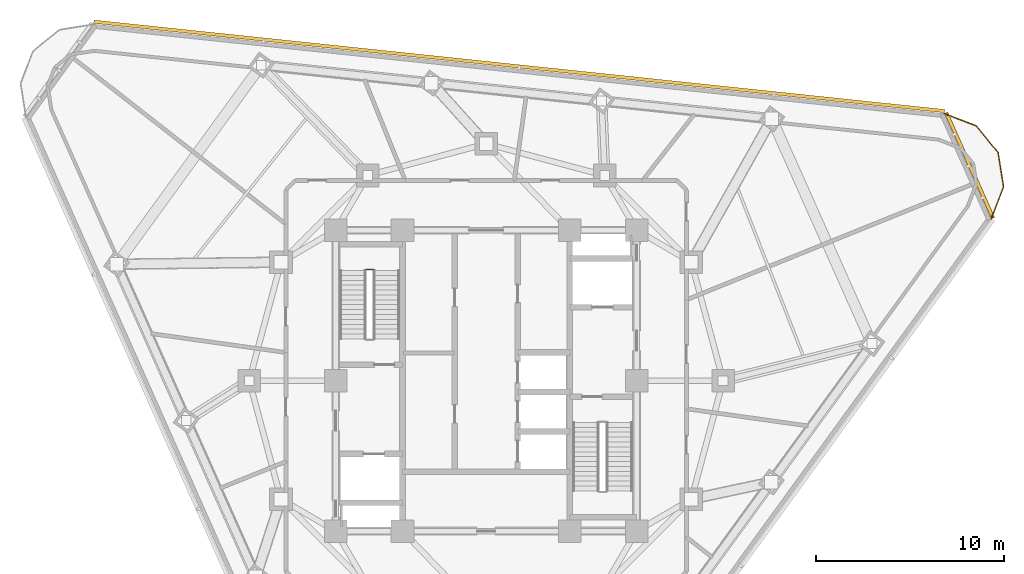
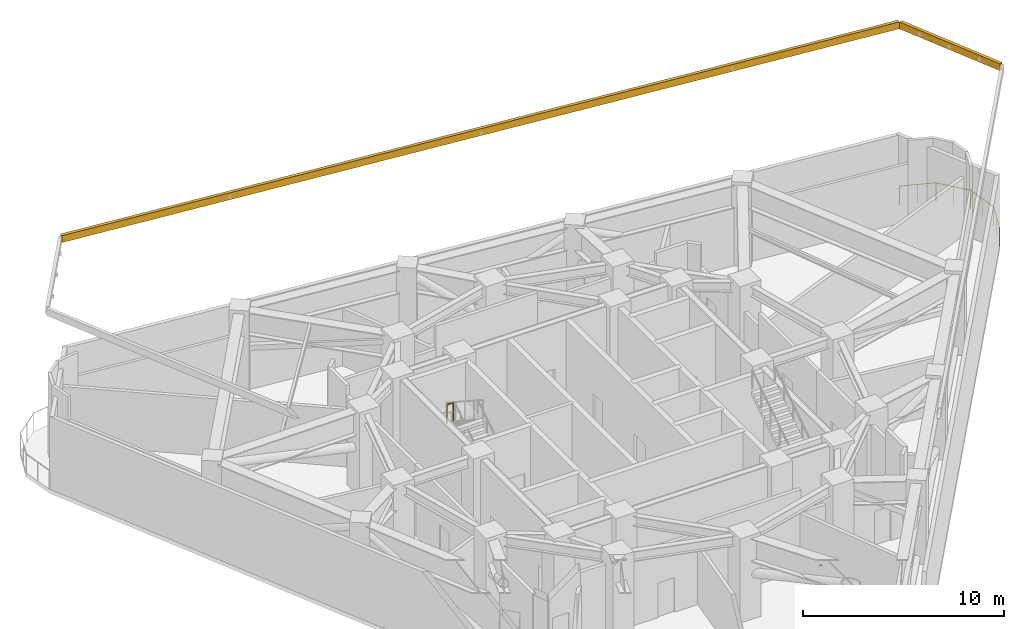
# One storey, part 10 of 10: 2 railings, 2 shading devices.
"""IFC4 building model written with IfcOpenShell, lengths in metres."""

from ifc_helpers import new_model, si_unit, direction, frame, origin, origin_2d, place, context, subcontext, project, spatial, rectangle, circle, extrude, material, layer, layer_set, type_object, element, save


model = new_model("IFC4")

# Units and contexts
model_context = context("Model", 3, precision=1e-05, world=origin(), true_north=direction((0.0, 1.0)))
body_context = subcontext(model_context, "Body", "Model", "MODEL_VIEW")
ifc_project = project(units=[si_unit("LENGTHUNIT", "METRE"), si_unit("AREAUNIT", "SQUARE_METRE"), si_unit("VOLUMEUNIT", "CUBIC_METRE"), si_unit("PLANEANGLEUNIT", "RADIAN"), si_unit("MASSUNIT", "GRAM", prefix="KILO")], contexts=[model_context])

# Site, building, storey
site_placement = place(None, origin())
site = spatial("IfcSite", under=ifc_project, at=site_placement, CompositionType="ELEMENT")
building_placement = place(site_placement, origin())
building = spatial("IfcBuilding", under=site, at=building_placement, Name="Terralouvre Media Tower", CompositionType="ELEMENT")
storey_placement = place(building_placement, frame((0.0, 0.0, 213.800048828125)))
storey = spatial("IfcBuildingStorey", under=building, at=storey_placement, Name="L55", CompositionType="ELEMENT", Elevation=213.800048828125)

# Shading devices
ifc_material_1 = material(Name="Extruded terracotta baguette sunshade louvres", Category="masonry")
shading_device_type = type_object("IfcShadingDeviceType", Name="Refuge Plant Acoustic Terracotta Louvre Grill TB-LV2", PredefinedType="JALOUSIE", material=ifc_material_1)
shading_device_1_placement = place(storey_placement, frame((1.756591796875, 16.712646484375, 10.6298828125), z_axis=(0.0, 0.0, 1.0), x_axis=(-0.994521885028, 0.104528561651, 0.0)))
element("IfcShadingDevice", 1, at=shading_device_1_placement, inside=storey, type_object=shading_device_type, Name="CW-L55-F1 Refuge Acoustic Terracotta Louvre", PredefinedType="JALOUSIE", context=body_context, shape_type="SweptSolid", body=[
    extrude(rectangle(XDim=45.5, YDim=0.179931640625, at=origin_2d()), origin(), (0.0, 0.0, 1.0), 0.419921875),
])
shading_device_2_placement = place(storey_placement, frame((25.711181640625, 11.447265625, 10.6298828125), z_axis=(0.0, 0.0, 1.0), x_axis=(-0.406737441315, 0.913545102243, 0.0)))
element("IfcShadingDevice", 2, at=shading_device_2_placement, inside=storey, type_object=shading_device_type, Name="CW-L55-C1 Refuge Acoustic Terracotta Louvre", PredefinedType="JALOUSIE", context=body_context, shape_type="SweptSolid", body=[
    extrude(rectangle(XDim=6.148681640625, YDim=0.179931640625, at=origin_2d()), origin(), (0.0, 0.0, 1.0), 0.419921875),
])

# Railings
ifc_material_2 = material(Name="Stainless steel 316 handrail and balustrade", Category="steel")
ifc_layer_1 = layer(ifc_material_2, 0.06005859375, Name="Roof Edge Safety Guardrail GR-ROOF1")
ifc_layer_set_1 = layer_set([ifc_layer_1], Name="Stainless steel 316 handrail and balustrade")
railing_type_1 = type_object("IfcRailingType", Name="Roof Edge Safety Guardrail GR-ROOF1", PredefinedType="GUARDRAIL", material=ifc_layer_set_1)
railing_1_placement = place(storey_placement, frame((26.85595703125, 8.593505859375, 0.0)))
element("IfcRailing", 3, at=railing_1_placement, inside=storey, type_object=railing_type_1, Name="L55 Wind-Corner Perimeter Safety Guardrail C1", PredefinedType="GUARDRAIL", context=body_context, shape_type="SweptSolid", body=[
    extrude(circle(Radius=0.02099609375, at=origin_2d()), frame((0.0, 0.0, 1.12890625), z_axis=(0.358685184164, 0.933458589688, 0.0), x_axis=(-0.933458589688, 0.358685184164, 0.0)), (0.0, 0.0, 1.0), 1.837158203125),
    extrude(circle(Radius=0.02099609375, at=origin_2d()), frame((0.658935546875, 1.71484375, 1.12890625), z_axis=(-0.156310663238, 0.987707940921, 0.0), x_axis=(-0.987707940921, -0.156310663238, 0.0)), (0.0, 0.0, 1.0), 1.836669921875),
    extrude(circle(Radius=0.02099609375, at=origin_2d()), frame((0.371826171875, 3.529052734375, 1.12890625), z_axis=(-0.629481130122, 0.777015769995, 0.0), x_axis=(-0.777015769995, -0.629481130122, 0.0)), (0.0, 0.0, 1.0), 1.8369140625),
    extrude(circle(Radius=0.02099609375, at=origin_2d()), frame((-0.784423828125, 4.956298828125, 1.12890625), z_axis=(-0.933653545479, 0.358177409974, 0.0), x_axis=(-0.358177409974, -0.933653545479, 0.0)), (0.0, 0.0, 1.0), 1.8369140625),
    extrude(circle(Radius=0.01904296875, at=origin_2d()), origin(), (0.0, 0.0, 1.0), 1.10791015625),
    extrude(circle(Radius=0.01904296875, at=origin_2d()), frame((0.32958984375, 0.857421875, 0.0)), (0.0, 0.0, 1.0), 1.10791015625),
    extrude(circle(Radius=0.01904296875, at=origin_2d()), frame((0.658935546875, 1.71484375, 0.0)), (0.0, 0.0, 1.0), 1.10791015625),
    extrude(circle(Radius=0.01904296875, at=origin_2d()), frame((0.515380859375, 2.6220703125, 0.0)), (0.0, 0.0, 1.0), 1.10791015625),
    extrude(circle(Radius=0.01904296875, at=origin_2d()), frame((0.371826171875, 3.529052734375, 0.0)), (0.0, 0.0, 1.0), 1.10791015625),
    extrude(circle(Radius=0.01904296875, at=origin_2d()), frame((-0.206298828125, 4.24267578125, 0.0)), (0.0, 0.0, 1.0), 1.10791015625),
    extrude(circle(Radius=0.01904296875, at=origin_2d()), frame((-0.784423828125, 4.956298828125, 0.0)), (0.0, 0.0, 1.0), 1.10791015625),
    extrude(circle(Radius=0.01904296875, at=origin_2d()), frame((-1.64208984375, 5.28515625, 0.0)), (0.0, 0.0, 1.0), 1.10791015625),
    extrude(circle(Radius=0.01904296875, at=origin_2d()), frame((-2.49951171875, 5.6142578125, 0.0)), (0.0, 0.0, 1.0), 1.10791015625),
])
ifc_material_3 = material(Name="Stainless steel 316 handrail and balustrade", Category="steel")
ifc_layer_2 = layer(ifc_material_3, 0.050048828125, Name="Stairwell Safety Guardrail GR-INT1")
ifc_layer_set_2 = layer_set([ifc_layer_2], Name="Stainless steel 316 handrail and balustrade")
railing_type_2 = type_object("IfcRailingType", Name="Stairwell Safety Guardrail GR-INT1", PredefinedType="GUARDRAIL", material=ifc_layer_set_2)
railing_2_placement = place(storey_placement, frame((-6.0, 5.909912109375, 2.550048828125)))
element("IfcRailing", 4, at=railing_2_placement, inside=storey, type_object=railing_type_2, Name="L55 ST-01 stair guard 2", PredefinedType="GUARDRAIL", context=body_context, shape_type="SweptSolid", body=[
    extrude(circle(Radius=0.02392578125, at=origin_2d()), frame((0.0, 0.0, 1.1259765625), z_axis=(-1.0, 0.0, 0.0), x_axis=(0.0, -1.0, 0.0)), (0.0, 0.0, 1.0), 0.3798828125),
    extrude(circle(Radius=0.02099609375, at=origin_2d()), origin(), (0.0, 0.0, 1.0), 1.101806640625),
    extrude(circle(Radius=0.02099609375, at=origin_2d()), frame((-0.3798828125, 0.0, 0.0)), (0.0, 0.0, 1.0), 1.101806640625),
])

save(model, "model.ifc")
